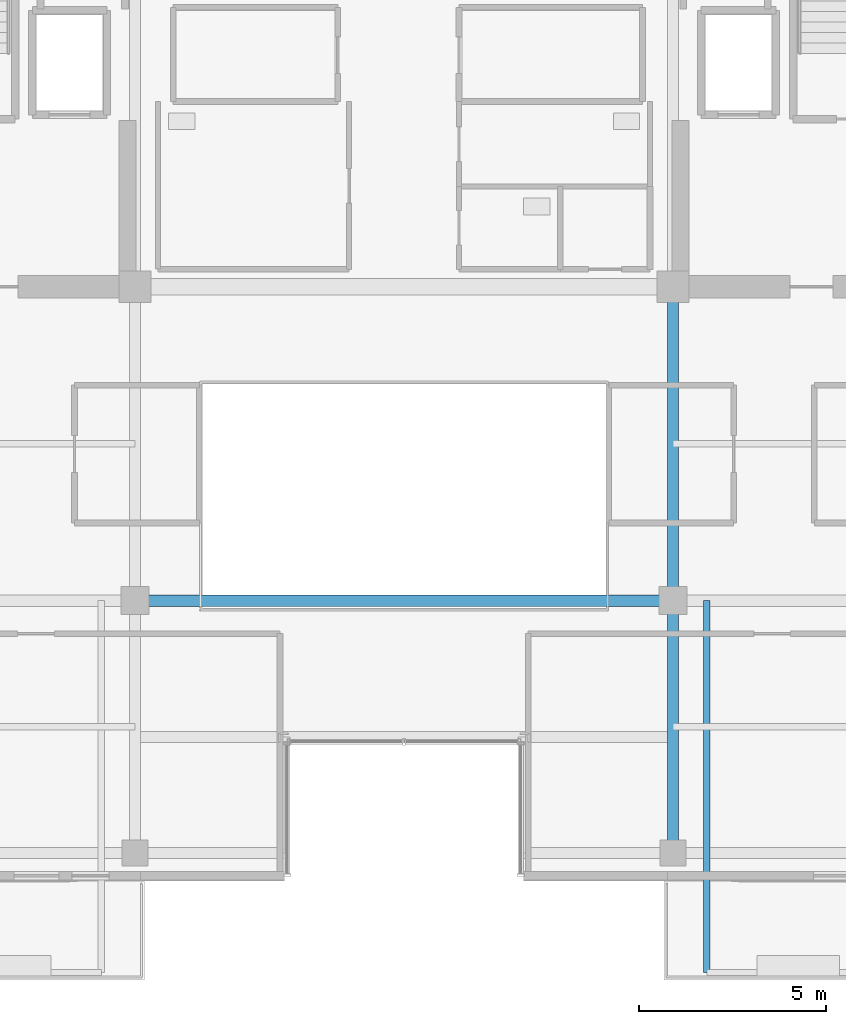
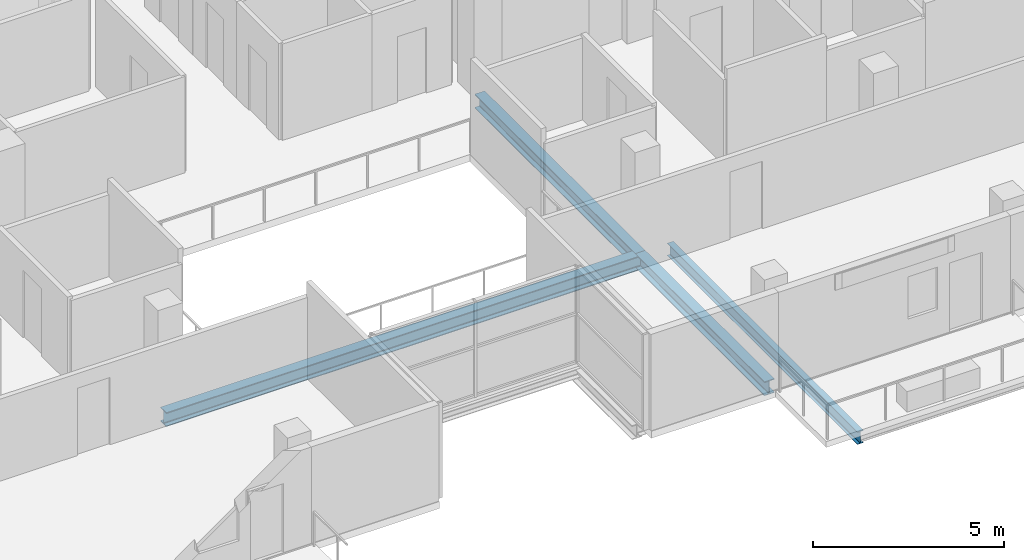
# One storey, part 4 of 21: 4 beams.
"""IFC4 building model written with IfcOpenShell, lengths in metres."""

from ifc_helpers import new_model, si_unit, direction, frame, origin, origin_2d, place, context, subcontext, project, spatial, i_section, extrude, material, material_profile, profile_set, type_object, element, save


model = new_model("IFC4")

# Units and contexts
model_context = context("Model", 3, precision=1e-05, world=origin(), true_north=direction((0.0, 1.0)))
body_context = subcontext(model_context, "Body", "Model", "MODEL_VIEW")
ifc_project = project(units=[si_unit("LENGTHUNIT", "METRE"), si_unit("AREAUNIT", "SQUARE_METRE"), si_unit("VOLUMEUNIT", "CUBIC_METRE"), si_unit("PLANEANGLEUNIT", "RADIAN"), si_unit("MASSUNIT", "GRAM", prefix="KILO")], contexts=[model_context])

# Site, building, storey
site_placement = place(None, origin())
site = spatial("IfcSite", under=ifc_project, at=site_placement, CompositionType="ELEMENT")
building_placement = place(site_placement, origin())
building = spatial("IfcBuilding", under=site, at=building_placement, Name="Zarnakvel Exchange Tower", CompositionType="ELEMENT")
storey_placement = place(building_placement, frame((0.0, 0.0, 255.10009765625)))
storey = spatial("IfcBuildingStorey", under=building, at=storey_placement, Name="L72", CompositionType="ELEMENT", Elevation=255.10009765625)

# Beams
ifc_material = material(Name="Steel S355", Category="steel")
ifc_material_profile_1 = material_profile(ifc_material, i_section(OverallWidth=0.179931640625, OverallDepth=0.39990234375, WebThickness=0.008544921875, FlangeThickness=0.013427734375, FilletRadius=0.02099609375, at=origin_2d()))
ifc_profile_set_1 = profile_set([ifc_material_profile_1], Name="Steel S355")
beam_type_1 = type_object("IfcBeamType", Name="B-06", PredefinedType="JOIST", material=ifc_profile_set_1)
beam_1_placement = place(storey_placement, frame((8.10009765625, -9.60009765625, -0.425048828125), z_axis=(0.0, -1.0, 0.0), x_axis=(1.0, 0.0, 0.0)))
element("IfcBeam", 1, at=beam_1_placement, inside=storey, type_object=beam_type_1, Name="L72 Continuous Back-Spanned Balcony Beam W", PredefinedType="JOIST", context=body_context, shape_type="SweptSolid", body=[
    extrude(i_section(OverallWidth=0.179931640625, OverallDepth=0.39990234375, WebThickness=0.008544921875, FlangeThickness=0.013427734375, FilletRadius=0.02099609375, at=origin_2d()), origin(), (0.0, 0.0, 1.0), 9.949951171875),
])
ifc_material_profile_2 = material_profile(ifc_material, i_section(OverallWidth=0.300048828125, OverallDepth=0.449951171875, WebThickness=0.013916015625, FlangeThickness=0.02587890625, FilletRadius=0.027099609375, at=origin_2d()))
ifc_profile_set_2 = profile_set([ifc_material_profile_2], Name="Steel S355")
beam_type_2 = type_object("IfcBeamType", Name="G-07", PredefinedType="BEAM", material=ifc_profile_set_2)
beam_2_placement = place(storey_placement, frame((-7.199951171875, -9.60009765625, -0.4501953125), z_axis=(1.0, 0.0, 0.0), x_axis=(0.0, 1.0, 0.0)))
element("IfcBeam", 2, at=beam_2_placement, inside=storey, type_object=beam_type_2, Name="L72 Tower E-W Frame Beam", PredefinedType="BEAM", context=body_context, shape_type="SweptSolid", body=[
    extrude(i_section(OverallWidth=0.300048828125, OverallDepth=0.449951171875, WebThickness=0.013916015625, FlangeThickness=0.02587890625, FilletRadius=0.027099609375, at=origin_2d()), origin(), (0.0, 0.0, 1.0), 14.39990234375),
])
beam_3_placement = place(storey_placement, frame((7.199951171875, -16.35009765625, -0.4501953125), z_axis=(0.0, 1.0, 0.0), x_axis=(-1.0, 0.0, 0.0)))
element("IfcBeam", 3, at=beam_3_placement, inside=storey, type_object=beam_type_2, Name="L72 Tower N-S Frame Beam", PredefinedType="BEAM", context=body_context, shape_type="SweptSolid", body=[
    extrude(i_section(OverallWidth=0.300048828125, OverallDepth=0.449951171875, WebThickness=0.013916015625, FlangeThickness=0.02587890625, FilletRadius=0.027099609375, at=origin_2d()), origin(), (0.0, 0.0, 1.0), 6.75),
])
beam_4_placement = place(storey_placement, frame((7.199951171875, -9.60009765625, -0.4501953125), z_axis=(0.0, 1.0, 0.0), x_axis=(-1.0, 0.0, 0.0)))
element("IfcBeam", 4, at=beam_4_placement, inside=storey, type_object=beam_type_2, Name="L72 Tower N-S Frame Beam", PredefinedType="BEAM", context=body_context, shape_type="SweptSolid", body=[
    extrude(i_section(OverallWidth=0.300048828125, OverallDepth=0.449951171875, WebThickness=0.013916015625, FlangeThickness=0.02587890625, FilletRadius=0.027099609375, at=origin_2d()), origin(), (0.0, 0.0, 1.0), 8.400146484375),
])

save(model, "model.ifc")
